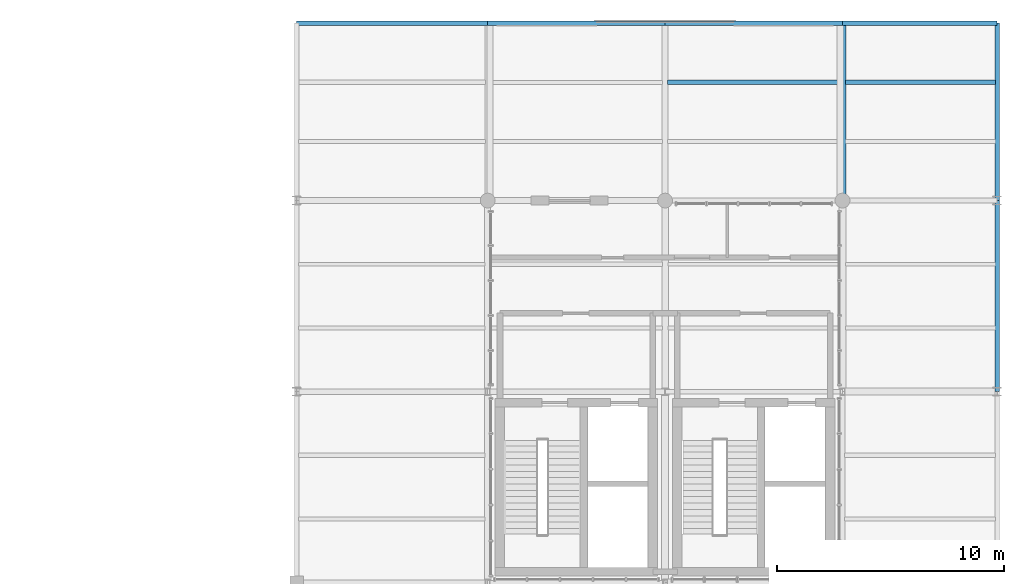
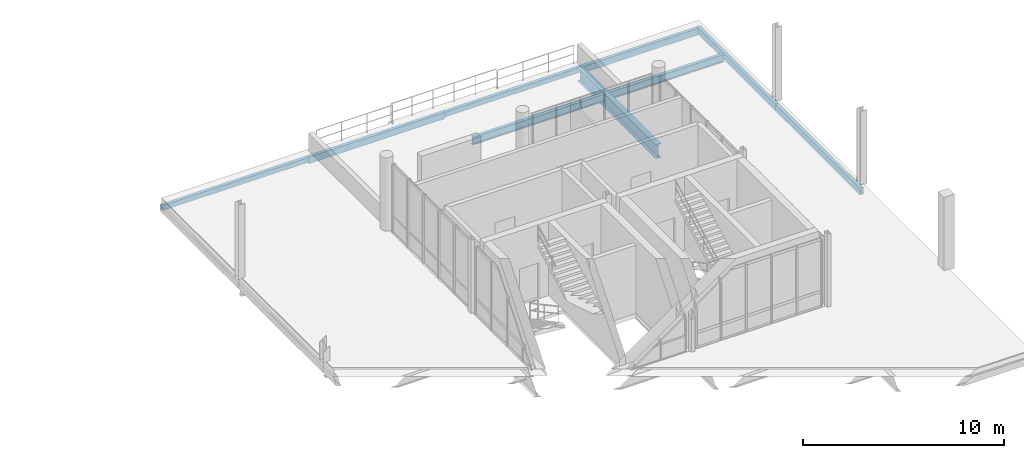
# One storey, part 48 of 66: 9 beams.
"""IFC4 building model written with IfcOpenShell, lengths in metres."""

from ifc_helpers import new_model, si_unit, direction, frame, origin_with_axes, origin_2d_with_axis, place, context, subcontext, project, spatial, hollow_rectangle, i_section, extrude, material, material_profile, profile_set, type_object, element, save


model = new_model("IFC4")

# Units and contexts
model_context = context("Model", 3, precision=1e-05, world=origin_with_axes(), true_north=direction((0.0, 1.0)))
body_context = subcontext(model_context, "Body", "Model", "MODEL_VIEW")
ifc_project = project(units=[si_unit("LENGTHUNIT", "METRE"), si_unit("AREAUNIT", "SQUARE_METRE"), si_unit("VOLUMEUNIT", "CUBIC_METRE"), si_unit("PLANEANGLEUNIT", "RADIAN"), si_unit("MASSUNIT", "GRAM", prefix="KILO"), si_unit("THERMODYNAMICTEMPERATUREUNIT", "KELVIN")], contexts=[model_context])

# Site, building, storey
site_placement = place(None, origin_with_axes())
site = spatial("IfcSite", under=ifc_project, at=site_placement, CompositionType="ELEMENT")
building_placement = place(site_placement, origin_with_axes())
building = spatial("IfcBuilding", under=site, at=building_placement, Name="Montbau Bow Law Courts", CompositionType="ELEMENT")
storey_placement = place(building_placement, frame((0.0, 0.0, 34.5), z_axis=(0.0, 0.0, 1.0), x_axis=(1.0, 0.0, 0.0)))
storey = spatial("IfcBuildingStorey", under=building, at=storey_placement, Name="L07", CompositionType="ELEMENT", Elevation=34.5)

# Beams
ifc_material_1 = material(Name="Steel CSA G40.21 Grade 350W (350 MPa)", Category="steel")
ifc_material_profile_1 = material_profile(ifc_material_1, i_section(OverallWidth=0.293, OverallDepth=0.846, WebThickness=0.0154, FlangeThickness=0.0244, at=origin_2d_with_axis()), Name="W840X210", Category="Main", Priority=0)
ifc_profile_set_1 = profile_set([ifc_material_profile_1], Name="Steel CSA G40.21 Grade 350W (350 MPa)")
beam_type_1 = type_object("IfcBeamType", Name="B-FLR-02", PredefinedType="BEAM", material=ifc_profile_set_1)
beam_1_placement = place(None, frame((162.6, 103.2, 33.717), z_axis=(0.0, 1.0, 0.0), x_axis=(-1.0, 0.0, 0.0)))
element("IfcBeam", 1, at=beam_1_placement, inside=storey, type_object=beam_type_1, Name="BM-L07-S1373:bm2_1376", PredefinedType="BEAM", context=body_context, shape_type="SweptSolid", body=[
    extrude(i_section(OverallWidth=0.293, OverallDepth=0.846, WebThickness=0.0154, FlangeThickness=0.0244, at=origin_2d_with_axis()), origin_with_axes(), (0.0, 0.0, 1.0), 7.8),
])
ifc_material_profile_2 = material_profile(ifc_material_1, i_section(OverallWidth=0.191, OverallDepth=0.46, WebThickness=0.0099, FlangeThickness=0.016, at=origin_2d_with_axis()), Name="W460X82", Category="Main", Priority=0)
ifc_profile_set_2 = profile_set([ifc_material_profile_2], Name="Steel CSA G40.21 Grade 350W (350 MPa)")
beam_type_2 = type_object("IfcBeamType", Name="B-JST-01", PredefinedType="JOIST", material=ifc_profile_set_2)
beam_2_placement = place(None, frame((154.91, 108.4, 33.91), z_axis=(1.0, 0.0, 0.0), x_axis=(0.0, 1.0, 0.0)))
element("IfcBeam", 2, at=beam_2_placement, inside=storey, type_object=beam_type_2, Name="JST-L07-S0756:jst2_0756", PredefinedType="JOIST", context=body_context, shape_type="SweptSolid", body=[
    extrude(i_section(OverallWidth=0.191, OverallDepth=0.46, WebThickness=0.0099, FlangeThickness=0.016, at=origin_2d_with_axis()), origin_with_axes(), (0.0, 0.0, 1.0), 7.567),
])
beam_3_placement = place(None, frame((162.722, 108.4, 33.91), z_axis=(1.0, 0.0, 0.0), x_axis=(0.0, 1.0, 0.0)))
element("IfcBeam", 3, at=beam_3_placement, inside=storey, type_object=beam_type_2, Name="JST-L07-S0764:jst2_0764", PredefinedType="JOIST", context=body_context, shape_type="SweptSolid", body=[
    extrude(i_section(OverallWidth=0.191, OverallDepth=0.46, WebThickness=0.0099, FlangeThickness=0.016, at=origin_2d_with_axis()), origin_with_axes(), (0.0, 0.0, 1.0), 6.598),
])
ifc_material_2 = material(Name="Steel CSA G40.21 Grade 350WT (350 MPa)", Category="steel")
ifc_material_profile_3 = material_profile(ifc_material_2, hollow_rectangle(XDim=0.203, YDim=0.406, WallThickness=0.0127, InnerFilletRadius=0.0254, OuterFilletRadius=0.0127, at=origin_2d_with_axis()), Name="HSS406X203X13", Category="Main", Priority=0)
ifc_profile_set_3 = profile_set([ifc_material_profile_3], Name="Steel CSA G40.21 Grade 350WT (350 MPa)")
beam_type_3 = type_object("IfcBeamType", Name="B-SPN-01", PredefinedType="SPANDREL", material=ifc_profile_set_3)
beam_4_placement = place(None, frame((147.0, 111.0, 33.937), z_axis=(1.0, 0.0, 0.0), x_axis=(0.0, 1.0, 0.0)))
element("IfcBeam", 4, at=beam_4_placement, inside=storey, type_object=beam_type_3, Name="SPN-L07-S1355:bm2_1358", PredefinedType="SPANDREL", context=body_context, shape_type="SweptSolid", body=[
    extrude(hollow_rectangle(XDim=0.203, YDim=0.406, WallThickness=0.0127, InnerFilletRadius=0.0254, OuterFilletRadius=0.0127, at=origin_2d_with_axis()), origin_with_axes(), (0.0, 0.0, 1.0), 7.8),
])
beam_5_placement = place(None, frame((162.6, 111.0, 33.937), z_axis=(1.0, 0.0, 0.0), x_axis=(0.0, 1.0, 0.0)))
element("IfcBeam", 5, at=beam_5_placement, inside=storey, type_object=beam_type_3, Name="SPN-L07-S1357:bm2_1360", PredefinedType="SPANDREL", context=body_context, shape_type="SweptSolid", body=[
    extrude(hollow_rectangle(XDim=0.203, YDim=0.406, WallThickness=0.0127, InnerFilletRadius=0.0254, OuterFilletRadius=0.0127, at=origin_2d_with_axis()), origin_with_axes(), (0.0, 0.0, 1.0), 6.8),
])
beam_6_placement = place(None, frame((169.4, 94.8, 34.007), z_axis=(0.0, 1.0, 0.0), x_axis=(-1.0, 0.0, 0.0)))
element("IfcBeam", 6, at=beam_6_placement, inside=storey, type_object=beam_type_3, Name="SPN-L07-S1376:bm2_1379", PredefinedType="SPANDREL", context=body_context, shape_type="SweptSolid", body=[
    extrude(hollow_rectangle(XDim=0.203, YDim=0.406, WallThickness=0.0127, InnerFilletRadius=0.0254, OuterFilletRadius=0.0127, at=origin_2d_with_axis()), origin_with_axes(), (0.0, 0.0, 1.0), 8.4),
])
beam_7_placement = place(None, frame((169.4, 103.2, 34.007), z_axis=(0.0, 1.0, 0.0), x_axis=(-1.0, 0.0, 0.0)))
element("IfcBeam", 7, at=beam_7_placement, inside=storey, type_object=beam_type_3, Name="SPN-L07-S1377:bm2_1380", PredefinedType="SPANDREL", context=body_context, shape_type="SweptSolid", body=[
    extrude(hollow_rectangle(XDim=0.203, YDim=0.406, WallThickness=0.0127, InnerFilletRadius=0.0254, OuterFilletRadius=0.0127, at=origin_2d_with_axis()), origin_with_axes(), (0.0, 0.0, 1.0), 7.8),
])
ifc_material_profile_4 = material_profile(ifc_material_2, hollow_rectangle(XDim=0.203, YDim=0.305, WallThickness=0.0127, InnerFilletRadius=0.0254, OuterFilletRadius=0.0127, at=origin_2d_with_axis()), Name="HSS305X203X13", Category="Main", Priority=0)
ifc_profile_set_4 = profile_set([ifc_material_profile_4], Name="Steel CSA G40.21 Grade 350WT (350 MPa)")
beam_type_4 = type_object("IfcBeamType", Name="B-SPN-02", PredefinedType="SPANDREL", material=ifc_profile_set_4)
beam_8_placement = place(None, frame((138.6, 111.0, 33.987), z_axis=(1.0, 0.0, 0.0), x_axis=(0.0, 1.0, 0.0)))
element("IfcBeam", 8, at=beam_8_placement, inside=storey, type_object=beam_type_4, Name="SPN-L07-S1354:bm2_1357", PredefinedType="SPANDREL", context=body_context, shape_type="SweptSolid", body=[
    extrude(hollow_rectangle(XDim=0.203, YDim=0.305, WallThickness=0.0127, InnerFilletRadius=0.0254, OuterFilletRadius=0.0127, at=origin_2d_with_axis()), origin_with_axes(), (0.0, 0.0, 1.0), 8.4),
])
beam_9_placement = place(None, frame((154.8, 111.0, 33.987), z_axis=(1.0, 0.0, 0.0), x_axis=(0.0, 1.0, 0.0)))
element("IfcBeam", 9, at=beam_9_placement, inside=storey, type_object=beam_type_4, Name="SPN-L07-S1356:bm2_1359", PredefinedType="SPANDREL", context=body_context, shape_type="SweptSolid", body=[
    extrude(hollow_rectangle(XDim=0.203, YDim=0.305, WallThickness=0.0127, InnerFilletRadius=0.0254, OuterFilletRadius=0.0127, at=origin_2d_with_axis()), origin_with_axes(), (0.0, 0.0, 1.0), 7.8),
])

save(model, "model.ifc")
